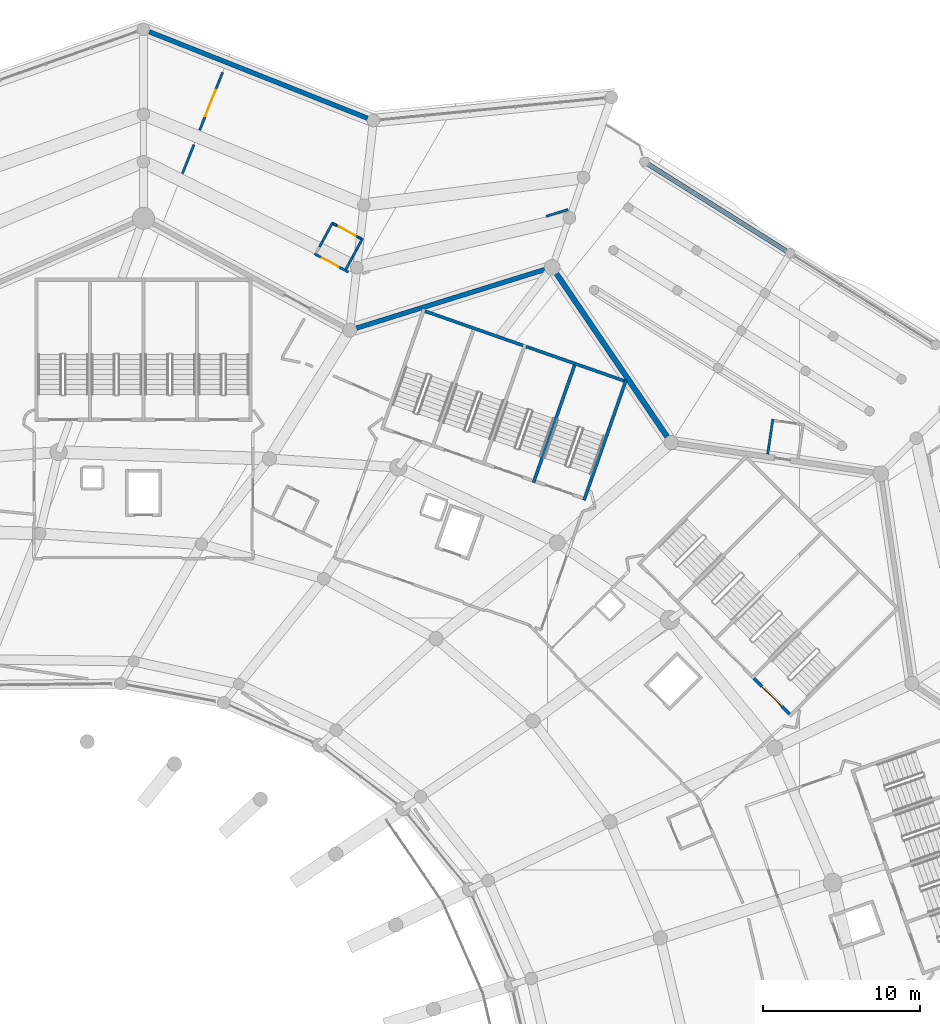
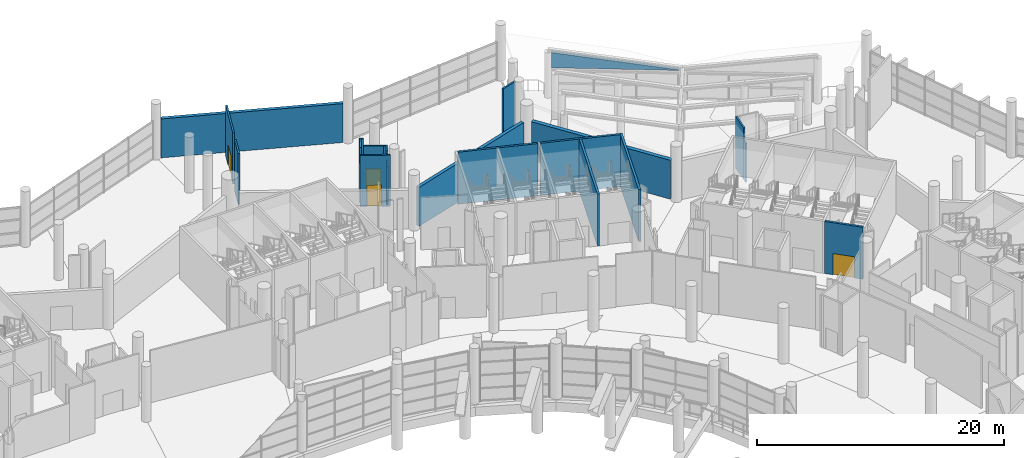
# One storey, part 199 of 271: 24 walls, 4 doors, 4 openings.
"""IFC4 building model written with IfcOpenShell, lengths in metres."""

from ifc_helpers import new_model, si_unit, direction, frame, frame_2d, origin, place, context, subcontext, project, spatial, polyline, rectangle, outline, extrude, material, layer, layer_set, type_object, element, fill, save


model = new_model("IFC4")

# Units and contexts
model_context = context("Model", 3, precision=1e-05, world=origin(), true_north=direction((0.0, 1.0)))
body_context = subcontext(model_context, "Body", "Model", "MODEL_VIEW")
ifc_project = project(units=[si_unit("LENGTHUNIT", "METRE"), si_unit("AREAUNIT", "SQUARE_METRE"), si_unit("VOLUMEUNIT", "CUBIC_METRE"), si_unit("PLANEANGLEUNIT", "RADIAN"), si_unit("MASSUNIT", "GRAM", prefix="KILO")], contexts=[model_context])

# Site, building, storey
site_placement = place(None, origin())
site = spatial("IfcSite", under=ifc_project, at=site_placement, CompositionType="ELEMENT")
building_placement = place(site_placement, origin())
building = spatial("IfcBuilding", under=site, at=building_placement, Name="Meseta Stadium", CompositionType="ELEMENT")
storey_placement = place(building_placement, frame((0.0, 0.0, 6.5)))
storey = spatial("IfcBuildingStorey", under=building, at=storey_placement, Name="L01", CompositionType="ELEMENT", Elevation=6.5)

# Wall
ifc_material_1 = material(Name="Concrete C40/50", Category="concrete")
ifc_layer_1 = layer(ifc_material_1, 0.199951171875)
ifc_layer_set_1 = layer_set([ifc_layer_1], Name="Core divider wall 200")
wall_type_1 = type_object("IfcWallType", Name="Core divider wall 200", PredefinedType="SHEAR", material=ifc_layer_set_1)
wall_1_placement = place(storey_placement, frame((65.789306640625, 96.260009765625, 0.0), z_axis=(0.0, 0.0, 1.0), x_axis=(-0.330280610426, -0.943882788474, 0.0)))
element("IfcWall", 1, at=wall_1_placement, inside=storey, type_object=wall_type_1, Name="Core 08 L01 stair A divider wall", PredefinedType="SHEAR", context=body_context, shape_type="SweptSolid", body=[
    extrude(rectangle(XDim=8.10009765625, YDim=0.199951171875, at=frame_2d((4.050048828125, 0.0))), origin(), (0.0, 0.0, 1.0), 5.14990234375),
])

# Wall, opening, door
ifc_material_2 = material(Name="Concrete C40/50", Category="concrete")
ifc_layer_2 = layer(ifc_material_2, 0.199951171875)
ifc_layer_set_2 = layer_set([ifc_layer_2], Name="Core shaft wall 200")
wall_type_2 = type_object("IfcWallType", Name="Core shaft wall 200", PredefinedType="SHEAR", material=ifc_layer_set_2)
wall_2_placement = place(storey_placement, frame((79.37548828125, 73.900146484375, 0.0), z_axis=(0.0, 0.0, 1.0), x_axis=(-0.707068634461, 0.707144925854, 0.0)))
wall_2 = element("IfcWall", 2, at=wall_2_placement, inside=storey, type_object=wall_type_2, Name="Core 07 L01 stair A1 inner end wall", PredefinedType="SHEAR", context=body_context, shape_type="SweptSolid", body=[
    extrude(rectangle(XDim=3.2001953125, YDim=0.199951171875, at=frame_2d((1.60009765625, 0.0))), origin(), (0.0, 0.0, 1.0), 5.14990234375),
])
opening_1_placement = place(wall_2_placement, frame((0.699951171875, 0.0, 0.0)))
opening_1 = element("IfcOpeningElement", 3, at=opening_1_placement, cuts=wall_2, Name="Opening D111", PredefinedType="OPENING", context=body_context, shape_type="SweptSolid", body=[
    extrude(rectangle(XDim=1.800048828125, YDim=2.10009765625, at=frame_2d((0.89990234375, 1.050048828125))), frame((0.0, 0.10986328125, 0.0), z_axis=(0.0, -1.0, 0.0), x_axis=(1.0, 0.0, 0.0)), (0.0, 0.0, 1.0), 0.219970703125),
])
ifc_material_3 = material(Name="Steel", Category="steel")
door_type_1 = type_object("IfcDoorType", Name="Stair door 1800x2100", OperationType="DOUBLE_DOOR_SINGLE_SWING", PredefinedType="DOOR", material=ifc_material_3)
door_1_placement = place(opening_1_placement, origin())
door_1 = element("IfcDoor", 4, at=door_1_placement, inside=storey, type_object=door_type_1, Name="Stair A1 door 07 L01", OperationType="DOUBLE_DOOR_SINGLE_SWING", OverallHeight=2.10009765625, OverallWidth=1.800048828125, PredefinedType="DOOR", context=body_context, shape_type="SweptSolid", body=[
    extrude(rectangle(XDim=1.800048828125, YDim=2.10009765625, at=frame_2d((0.89990234375, 1.050048828125))), frame((0.0, 0.02490234375, 0.0), z_axis=(0.0, -1.0, 0.0), x_axis=(1.0, 0.0, 0.0)), (0.0, 0.0, 1.0), 0.050048828125),
])
fill(opening_1, door_1)

# Walls
wall_3_placement = place(storey_placement, frame((68.998291015625, 95.136962890625, 0.0), z_axis=(0.0, 0.0, 1.0), x_axis=(-0.330263153216, -0.943888896866, 0.0)))
element("IfcWall", 5, at=wall_3_placement, inside=storey, type_object=wall_type_2, Name="Core 08 L01 stair wall A-side", PredefinedType="SHEAR", context=body_context, shape_type="SweptSolid", body=[
    extrude(rectangle(XDim=8.099853515625, YDim=0.199951171875, at=frame_2d((4.0498046875, 0.0))), origin(), (0.0, 0.0, 1.0), 5.14990234375),
])
for number, where, z_axis, x_axis, name in (
    (6, (68.87109375, 95.07568359375, 0.0), (0.0, 0.0, 1.0), (-0.943880844925, 0.330286164688, 0.0), "Core 08 L01 stair A outer end wall"),
    (7, (62.45263671875, 97.321533203125, 0.0), (0.0, 0.0, 1.0), (-0.943880844925, 0.330286164688, 0.0), "Core 08 L01 stair B outer end wall"),
):
    element("IfcWall", number, at=place(storey_placement, frame(where, z_axis=z_axis, x_axis=x_axis)), inside=storey, type_object=wall_type_2, Name=name, PredefinedType="SHEAR", context=body_context, shape_type="SweptSolid", body=[
        extrude(rectangle(XDim=6.60009765625, YDim=0.199951171875, at=frame_2d((3.300048828125, 0.0))), origin(), (0.0, 0.0, 1.0), 5.14990234375),
    ])
ifc_material_4 = material(Name="Precast concrete C40/50", Category="concrete")
ifc_layer_3 = layer(ifc_material_4, 0.300048828125)
ifc_layer_set_3 = layer_set([ifc_layer_3], Name="Gate facade panel wall 300")
wall_type_3 = type_object("IfcWallType", Name="Gate facade panel wall 300", PredefinedType="SOLIDWALL", material=ifc_layer_set_3)
wall_4_placement = place(storey_placement, frame((79.15771484375, 103.333984375, 2.924560546875), z_axis=(0.0, 0.0, 1.0), x_axis=(-0.846732336333, 0.532019126168, 0.0)))
element("IfcWall", 8, at=wall_4_placement, inside=storey, type_object=wall_type_3, Name="Gate 2 gable panel wall", PredefinedType="SOLIDWALL", context=body_context, shape_type="SweptSolid", body=[
    extrude(outline(polyline([(0.0, 0.0), (10.333740234375, 0.0), (10.333740234375, 1.498779296875), (0.0, 0.052001953125), (0.0, 0.0)])), frame((0.0, 0.14990234375, 0.0), z_axis=(0.0, -1.0, 0.0), x_axis=(1.0, 0.0, 0.0)), (0.0, 0.0, 1.0), 0.300048828125),
])
ifc_material_5 = material(Name="Masonry blockwork", Category="masonry")
ifc_layer_4 = layer(ifc_material_5, 0.14990234375)
ifc_layer_set_4 = layer_set([ifc_layer_4], Name="Partition 150")
wall_type_4 = type_object("IfcWallType", Name="Partition 150", PredefinedType="PARTITIONING", material=ifc_layer_set_4)
wall_5_placement = place(storey_placement, frame((65.31591796875, 105.958984375, 0.0), z_axis=(0.0, 0.0, 1.0), x_axis=(-0.954867270895, -0.297032818008, 0.0)))
element("IfcWall", 9, at=wall_5_placement, inside=storey, type_object=wall_type_4, Name="Partition L01 L01-ring07-0", PredefinedType="PARTITIONING", context=body_context, shape_type="SweptSolid", body=[
    extrude(rectangle(XDim=1.46630859375, YDim=0.14990234375, at=frame_2d((0.733154296875, 0.0))), origin(), (0.0, 0.0, 1.0), 5.050048828125),
])

# Wall, opening, door
wall_6_placement = place(storey_placement, frame((51.351318359375, 101.983154296875, 0.0), z_axis=(0.0, 0.0, 1.0), x_axis=(-0.879139929893, 0.476563724666, 0.0)))
wall_6 = element("IfcWall", 10, at=wall_6_placement, inside=storey, type_object=wall_type_4, Name="Partition L01 L01-ring07-0", PredefinedType="PARTITIONING", context=body_context, shape_type="SweptSolid", body=[
    extrude(rectangle(XDim=2.4384765625, YDim=0.14990234375, at=frame_2d((1.21923828125, 0.0))), origin(), (0.0, 0.0, 1.0), 5.050048828125),
])
opening_2_placement = place(wall_6_placement, frame((0.699951171875, 0.0, 0.0)))
opening_2 = element("IfcOpeningElement", 11, at=opening_2_placement, cuts=wall_6, Name="Opening D691", PredefinedType="OPENING", context=body_context, shape_type="SweptSolid", body=[
    extrude(rectangle(XDim=1.199951171875, YDim=2.10009765625, at=frame_2d((0.60009765625, 1.050048828125))), frame((0.0, 0.0849609375, 0.0), z_axis=(0.0, -1.0, 0.0), x_axis=(1.0, 0.0, 0.0)), (0.0, 0.0, 1.0), 0.169921875),
])
ifc_material_6 = material(Name="Steel", Category="steel")
door_type_2 = type_object("IfcDoorType", Name="Fire door 1200x2100 EI2 60", OperationType="NOTDEFINED", PredefinedType="DOOR", material=ifc_material_6)
door_2_placement = place(opening_2_placement, origin())
door_2 = element("IfcDoor", 12, at=door_2_placement, inside=storey, type_object=door_type_2, Name="Door D691", OperationType="SINGLE_SWING_RIGHT", OverallHeight=2.10009765625, OverallWidth=1.199951171875, PredefinedType="DOOR", context=body_context, shape_type="SweptSolid", body=[
    extrude(rectangle(XDim=1.199951171875, YDim=2.10009765625, at=frame_2d((0.60009765625, 1.050048828125))), frame((0.0, 0.02490234375, 0.0), z_axis=(0.0, -1.0, 0.0), x_axis=(1.0, 0.0, 0.0)), (0.0, 0.0, 1.0), 0.050048828125),
])
fill(opening_2, door_2)

# Wall
wall_7_placement = place(storey_placement, frame((40.814453125, 108.252197265625, 0.0), z_axis=(0.0, 0.0, 1.0), x_axis=(0.368808194062, 0.929505522304, 0.0)))
element("IfcWall", 13, at=wall_7_placement, inside=storey, type_object=wall_type_4, Name="Partition L01 L01-ring07-0", PredefinedType="PARTITIONING", context=body_context, shape_type="SweptSolid", body=[
    extrude(rectangle(XDim=1.973388671875, YDim=0.14990234375, at=frame_2d((0.98681640625, 0.0))), origin(), (0.0, 0.0, 1.0), 5.050048828125),
])

# Wall, opening, door
wall_8_placement = place(storey_placement, frame((43.36181640625, 114.671875, 0.0), z_axis=(0.0, 0.0, 1.0), x_axis=(-0.368808194062, -0.929505522304, 0.0)))
wall_8 = element("IfcWall", 14, at=wall_8_placement, inside=storey, type_object=wall_type_4, Name="Partition L01 L01-ring07-0", PredefinedType="PARTITIONING", context=body_context, shape_type="SweptSolid", body=[
    extrude(rectangle(XDim=3.94677734375, YDim=0.14990234375, at=frame_2d((1.973388671875, 0.0))), origin(), (0.0, 0.0, 1.0), 5.050048828125),
])
opening_3_placement = place(wall_8_placement, frame((1.19677734375, 0.0, 0.0)))
opening_3 = element("IfcOpeningElement", 15, at=opening_3_placement, cuts=wall_8, Name="Opening D692", PredefinedType="OPENING", context=body_context, shape_type="SweptSolid", body=[
    extrude(rectangle(XDim=1.800048828125, YDim=2.10009765625, at=frame_2d((0.89990234375, 1.050048828125))), frame((0.0, 0.0849609375, 0.0), z_axis=(0.0, -1.0, 0.0), x_axis=(1.0, 0.0, 0.0)), (0.0, 0.0, 1.0), 0.169921875),
])
ifc_material_7 = material(Name="Steel", Category="steel")
door_type_3 = type_object("IfcDoorType", Name="Fire double door 1800x2100 EI2 60", OperationType="DOUBLE_DOOR_SINGLE_SWING", PredefinedType="DOOR", material=ifc_material_7)
door_3_placement = place(opening_3_placement, origin())
door_3 = element("IfcDoor", 16, at=door_3_placement, inside=storey, type_object=door_type_3, Name="Door D692", OperationType="DOUBLE_DOOR_SINGLE_SWING", OverallHeight=2.10009765625, OverallWidth=1.800048828125, PredefinedType="DOOR", context=body_context, shape_type="SweptSolid", body=[
    extrude(rectangle(XDim=1.800048828125, YDim=2.10009765625, at=frame_2d((0.89990234375, 1.050048828125))), frame((0.0, 0.02490234375, 0.0), z_axis=(0.0, -1.0, 0.0), x_axis=(1.0, 0.0, 0.0)), (0.0, 0.0, 1.0), 0.050048828125),
])
fill(opening_3, door_3)

# Walls
wall_9_placement = place(storey_placement, frame((77.989990234375, 90.417236328125, 0.0), z_axis=(0.0, 0.0, 1.0), x_axis=(0.147040245885, 0.98913051014, 0.0)))
element("IfcWall", 17, at=wall_9_placement, inside=storey, type_object=wall_type_4, Name="Partition L01 G2-L01-0-GateLounge-0 vestibule", PredefinedType="PARTITIONING", context=body_context, shape_type="SweptSolid", body=[
    extrude(rectangle(XDim=0.449951171875, YDim=0.14990234375, at=frame_2d((0.22509765625, 0.0))), origin(), (0.0, 0.0, 1.0), 3.85009765625),
])
wall_10_placement = place(storey_placement, frame((78.05615234375, 90.8623046875, 0.0), z_axis=(0.0, 0.0, 1.0), x_axis=(0.146755111639, 0.98917285507, 0.0)))
element("IfcWall", 18, at=wall_10_placement, inside=storey, type_object=wall_type_4, Name="Partition L01 G2-L01-0-GateLounge-0 vestibule", PredefinedType="PARTITIONING", context=body_context, shape_type="SweptSolid", body=[
    extrude(rectangle(XDim=1.800048828125, YDim=0.14990234375, at=frame_2d((0.89990234375, 0.0))), origin(), (0.0, 0.0, 1.0), 5.10009765625),
])
for number, where, z_axis, x_axis, name in (
    (19, (51.189208984375, 102.156494140625, 0.0), (0.0, 0.0, 1.0), (0.476912253193, 0.878950910321, 0.0), "Partition L01 L01-ring07-0 vestibule"),
    (20, (51.40380859375, 102.552001953125, 0.0), (0.0, 0.0, 1.0), (0.476492931446, 0.879178301758, 0.0), "Partition L01 L01-ring07-0 vestibule"),
):
    element("IfcWall", number, at=place(storey_placement, frame(where, z_axis=z_axis, x_axis=x_axis)), inside=storey, type_object=wall_type_4, Name=name, PredefinedType="PARTITIONING", context=body_context, shape_type="SweptSolid", body=[
        extrude(rectangle(XDim=0.449951171875, YDim=0.14990234375, at=frame_2d((0.22509765625, 0.0))), origin(), (0.0, 0.0, 1.0), 3.85009765625),
    ])
wall_11_placement = place(storey_placement, frame((51.6181640625, 102.947509765625, 0.0), z_axis=(0.0, 0.0, 1.0), x_axis=(0.476265673746, 0.879301431826, 0.0)))
element("IfcWall", 21, at=wall_11_placement, inside=storey, type_object=wall_type_4, Name="Partition L01 L01-ring07-0 vestibule", PredefinedType="PARTITIONING", context=body_context, shape_type="SweptSolid", body=[
    extrude(rectangle(XDim=0.4501953125, YDim=0.14990234375, at=frame_2d((0.22509765625, 0.0))), origin(), (0.0, 0.0, 1.0), 4.39990234375),
])
wall_12_placement = place(storey_placement, frame((51.83251953125, 103.34326171875, 0.0), z_axis=(0.0, 0.0, 1.0), x_axis=(0.476588960395, 0.879126249653, 0.0)))
element("IfcWall", 22, at=wall_12_placement, inside=storey, type_object=wall_type_4, Name="Partition L01 L01-ring07-0 vestibule", PredefinedType="PARTITIONING", context=body_context, shape_type="SweptSolid", body=[
    extrude(rectangle(XDim=0.900146484375, YDim=0.14990234375, at=frame_2d((0.4501953125, 0.0))), origin(), (0.0, 0.0, 1.0), 4.39990234375),
])
wall_13_placement = place(storey_placement, frame((49.513671875, 103.57666015625, 0.0), z_axis=(0.0, 0.0, 1.0), x_axis=(0.476492931446, 0.879178301758, 0.0)))
element("IfcWall", 23, at=wall_13_placement, inside=storey, type_object=wall_type_4, Name="Partition L01 L01-ring07-0 vestibule", PredefinedType="PARTITIONING", context=body_context, shape_type="SweptSolid", body=[
    extrude(rectangle(XDim=0.449951171875, YDim=0.14990234375, at=frame_2d((0.22509765625, 0.0))), origin(), (0.0, 0.0, 1.0), 3.85009765625),
])
wall_14_placement = place(storey_placement, frame((49.72802734375, 103.97216796875, 0.0), z_axis=(0.0, 0.0, 1.0), x_axis=(0.476481197488, 0.879184661172, 0.0)))
element("IfcWall", 24, at=wall_14_placement, inside=storey, type_object=wall_type_4, Name="Partition L01 L01-ring07-0 vestibule", PredefinedType="PARTITIONING", context=body_context, shape_type="SweptSolid", body=[
    extrude(rectangle(XDim=1.35009765625, YDim=0.14990234375, at=frame_2d((0.675048828125, 0.0))), origin(), (0.0, 0.0, 1.0), 5.10009765625),
])
wall_15_placement = place(storey_placement, frame((52.159912109375, 104.104248046875, 0.0), z_axis=(0.0, 0.0, 1.0), x_axis=(-0.879568553605, 0.475772171853, 0.0)))
element("IfcWall", 25, at=wall_15_placement, inside=storey, type_object=wall_type_4, Name="Partition L01 L01-ring07-0 vestibule", PredefinedType="PARTITIONING", context=body_context, shape_type="SweptSolid", body=[
    extrude(rectangle(XDim=0.2001953125, YDim=0.14990234375, at=frame_2d((0.10009765625, 0.0))), origin(), (0.0, 0.0, 1.0), 4.39990234375),
])

# Wall, opening, door
wall_16_placement = place(storey_placement, frame((51.98388671875, 104.199462890625, 0.0), z_axis=(0.0, 0.0, 1.0), x_axis=(-0.879070872432, 0.476691096247, 0.0)))
wall_16 = element("IfcWall", 26, at=wall_16_placement, inside=storey, type_object=wall_type_4, Name="Partition L01 L01-ring07-0 vestibule", PredefinedType="PARTITIONING", context=body_context, shape_type="SweptSolid", body=[
    extrude(rectangle(XDim=1.60009765625, YDim=0.14990234375, at=frame_2d((0.800048828125, 0.0))), origin(), (0.0, 0.0, 1.0), 4.39990234375),
])
opening_4_placement = place(wall_16_placement, frame((0.199951171875, 0.0, 0.0)))
opening_4 = element("IfcOpeningElement", 27, at=opening_4_placement, cuts=wall_16, Name="Opening D923", PredefinedType="OPENING", context=body_context, shape_type="SweptSolid", body=[
    extrude(rectangle(XDim=1.199951171875, YDim=2.10009765625, at=frame_2d((0.60009765625, 1.050048828125))), frame((0.0, 0.0849609375, 0.0), z_axis=(0.0, -1.0, 0.0), x_axis=(1.0, 0.0, 0.0)), (0.0, 0.0, 1.0), 0.169921875),
])
door_4_placement = place(opening_4_placement, origin())
door_4 = element("IfcDoor", 28, at=door_4_placement, inside=storey, type_object=door_type_2, Name="Vestibule door L01 L01-ring07-0", OperationType="SINGLE_SWING_RIGHT", OverallHeight=2.10009765625, OverallWidth=1.199951171875, PredefinedType="DOOR", context=body_context, shape_type="SweptSolid", body=[
    extrude(rectangle(XDim=1.199951171875, YDim=2.10009765625, at=frame_2d((0.60009765625, 1.050048828125))), frame((0.0, 0.02490234375, 0.0), z_axis=(0.0, -1.0, 0.0), x_axis=(1.0, 0.0, 0.0)), (0.0, 0.0, 1.0), 0.050048828125),
])
fill(opening_4, door_4)

# Walls
wall_17_placement = place(storey_placement, frame((50.577392578125, 104.962158203125, 0.0), z_axis=(0.0, 0.0, 1.0), x_axis=(-0.879291966537, 0.476283148541, 0.0)))
element("IfcWall", 29, at=wall_17_placement, inside=storey, type_object=wall_type_4, Name="Partition L01 L01-ring07-0 vestibule", PredefinedType="PARTITIONING", context=body_context, shape_type="SweptSolid", body=[
    extrude(rectangle(XDim=0.199951171875, YDim=0.14990234375, at=frame_2d((0.10009765625, 0.0))), origin(), (0.0, 0.0, 1.0), 5.10009765625),
])
ifc_material_8 = material(Name="White precast concrete C40/50", Category="concrete")
ifc_layer_5 = layer(ifc_material_8, 0.300048828125)
ifc_layer_set_5 = layer_set([ifc_layer_5], Name="Pleated panel wall 300 concourse")
wall_type_5 = type_object("IfcWallType", Name="Pleated panel wall 300 concourse", PredefinedType="SOLIDWALL", material=ifc_layer_set_5)
wall_18_placement = place(storey_placement, frame((51.87109375, 98.427978515625, 0.0), z_axis=(0.0, 0.0, 1.0), x_axis=(0.954916036354, 0.29687600697, 0.0)))
element("IfcWall", 30, at=wall_18_placement, inside=storey, type_object=wall_type_5, Name="Pleated facade panel L01 F14", PredefinedType="SOLIDWALL", context=body_context, shape_type="SweptSolid", body=[
    extrude(rectangle(XDim=12.51318359375, YDim=0.300048828125, at=frame_2d((6.256591796875, 0.0))), origin(), (0.0, 0.0, 1.0), 3.85009765625),
])
ifc_material_9 = material(Name="White precast concrete C40/50", Category="concrete")
ifc_layer_6 = layer(ifc_material_9, 0.35009765625)
ifc_layer_set_6 = layer_set([ifc_layer_6], Name="Pleated panel wall 350 gate")
wall_type_6 = type_object("IfcWallType", Name="Pleated panel wall 350 gate", PredefinedType="SOLIDWALL", material=ifc_layer_set_6)
wall_19_placement = place(storey_placement, frame((64.578125, 101.87744140625, 0.0), z_axis=(0.0, 0.0, 1.0), x_axis=(0.561493784496, -0.827480954447, 0.0)))
element("IfcWall", 31, at=wall_19_placement, inside=storey, type_object=wall_type_6, Name="Pleated facade panel L01 F13", PredefinedType="SOLIDWALL", context=body_context, shape_type="SweptSolid", body=[
    extrude(rectangle(XDim=12.51318359375, YDim=0.35009765625, at=frame_2d((6.256591796875, 0.0))), origin(), (0.0, 0.0, 1.0), 3.85009765625),
])
ifc_material_10 = material(Name="Precast concrete C40/50", Category="concrete")
ifc_layer_7 = layer(ifc_material_10, 0.300048828125)
ifc_layer_set_7 = layer_set([ifc_layer_7], Name="Ring facade panel wall 300")
wall_type_7 = type_object("IfcWallType", Name="Ring facade panel wall 300", PredefinedType="SOLIDWALL", material=ifc_layer_set_7)
wall_20_placement = place(storey_placement, frame((38.705078125, 117.252685546875, 0.0), z_axis=(0.0, 0.0, 1.0), x_axis=(0.929646167444, -0.368453529439, 0.0)))
element("IfcWall", 32, at=wall_20_placement, inside=storey, type_object=wall_type_7, Name="Ring plant panel wall L01 F15", PredefinedType="SOLIDWALL", context=body_context, shape_type="SweptSolid", body=[
    extrude(rectangle(XDim=14.9140625, YDim=0.300048828125, at=frame_2d((7.45703125, 0.0))), origin(), (0.0, 0.0, 1.0), 3.85009765625),
])

save(model, "model.ifc")
